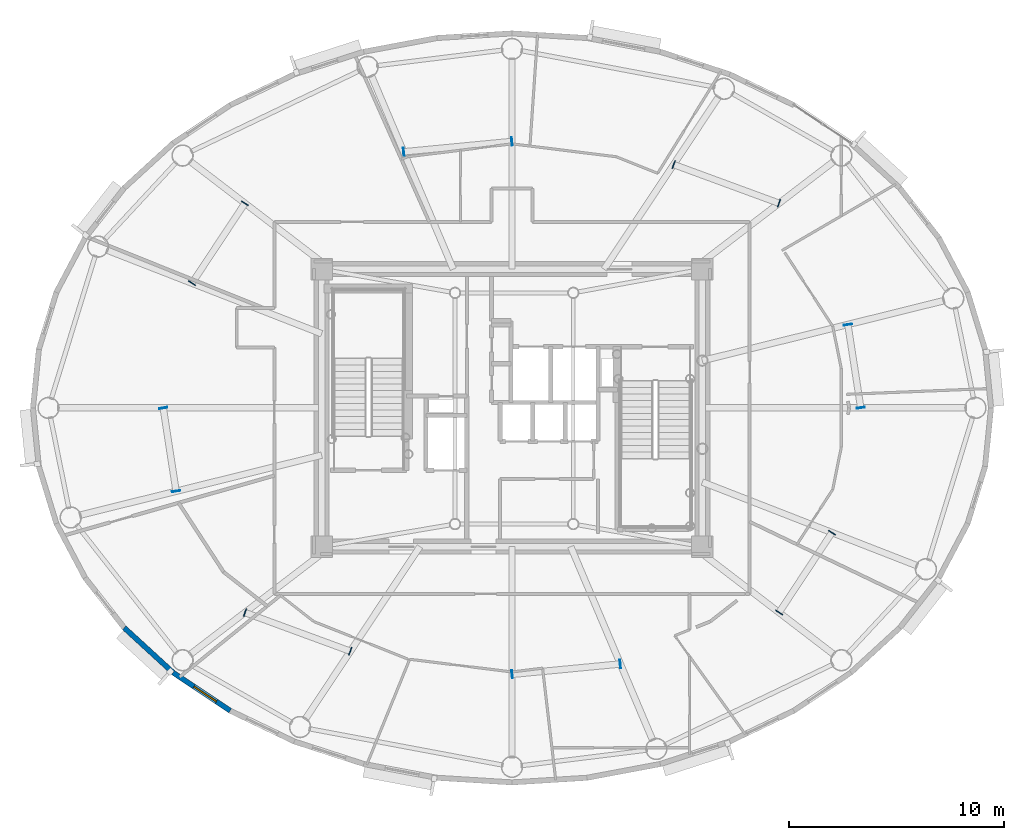
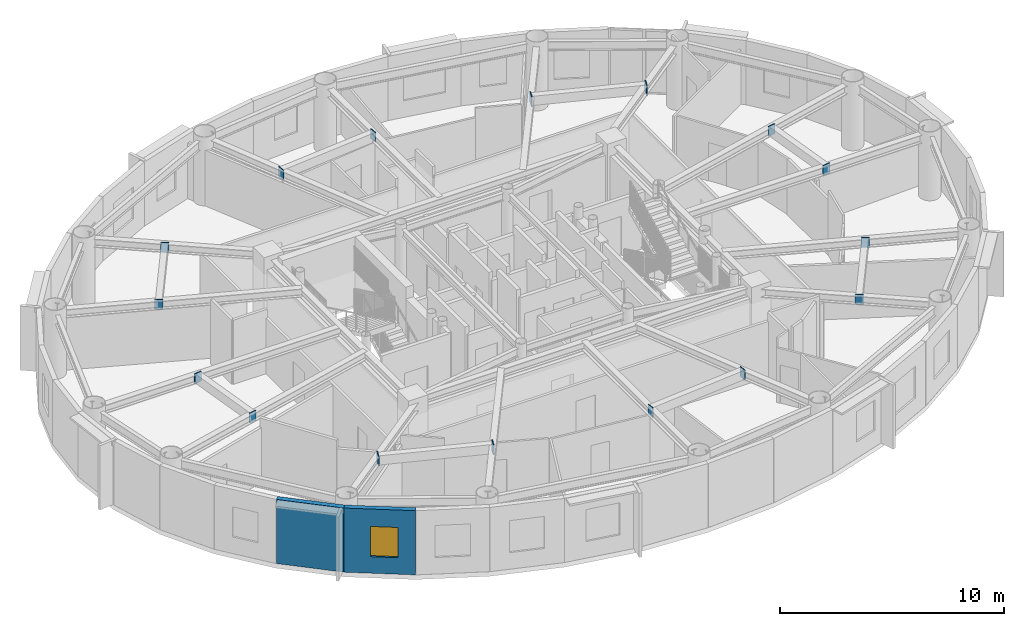
# One storey, part 5 of 16: 16 plates, 2 walls, 1 window, 1 opening.
"""IFC4 building model written with IfcOpenShell, lengths in metres."""

from ifc_helpers import new_model, si_unit, direction, frame, frame_2d, origin, origin_2d, place, context, subcontext, project, spatial, rectangle, extrude, source, transform, mapped, material, layer, layer_set, type_object, element, fill, save


model = new_model("IFC4")

# Units and contexts
model_context = context("Model", 3, precision=1e-05, world=origin(), true_north=direction((0.0, 1.0)))
body_context = subcontext(model_context, "Body", "Model", "MODEL_VIEW")
ifc_project = project(units=[si_unit("LENGTHUNIT", "METRE"), si_unit("AREAUNIT", "SQUARE_METRE"), si_unit("VOLUMEUNIT", "CUBIC_METRE"), si_unit("PLANEANGLEUNIT", "RADIAN"), si_unit("MASSUNIT", "GRAM", prefix="KILO")], contexts=[model_context])

# Site, building, storey
site_placement = place(None, origin())
site = spatial("IfcSite", under=ifc_project, at=site_placement, CompositionType="ELEMENT")
building_placement = place(site_placement, origin())
building = spatial("IfcBuilding", under=site, at=building_placement, Name="Linh Dai School and Residence Tower", CompositionType="ELEMENT")
storey_placement = place(building_placement, frame((0.0, 0.0, 306.75)))
storey = spatial("IfcBuildingStorey", under=building, at=storey_placement, Name="L76", CompositionType="ELEMENT", Elevation=306.75)

# Plates
ifc_material_1 = material(Name="Structural Steel S355JR", Category="steel")
ifc_layer_1 = layer(ifc_material_1, 0.0400390625)
ifc_layer_set_1 = layer_set([ifc_layer_1], Name="Structural Steel S355JR")
plate_type = type_object("IfcPlateType", Name="PLT-GP1", PredefinedType="USERDEFINED", material=ifc_layer_set_1)
shared_shape_1 = source(origin(), body_context, "Body", "SweptSolid", [
    extrude(rectangle(XDim=0.0400390625, YDim=0.3798828125, at=origin_2d()), origin(), (0.0, 0.0, 1.0), 0.5400390625),
])
for number, where, z_axis, x_axis, name in (
    (1, (52.21533203125, 27.0048828125, 2.97998046875), (0.0, 0.0, 1.0), (-0.152473707763, 0.988307527261, 0.0), "L76 Secondary Beam End Plate 01A"),
    (2, (51.61865234375, 30.87255859375, 2.97998046875), (0.0, 0.0, 1.0), (-0.152473707763, 0.988307527261, 0.0), "L76 Secondary Beam End Plate 01B"),
    (3, (48.4140625, 36.51611328125, 2.97998046875), (0.0, 0.0, 1.0), (-0.938695431921, 0.34474756865, 0.0), "L76 Secondary Beam End Plate 02A"),
    (4, (43.519287109375, 38.313720703125, 2.97998046875), (0.0, 0.0, 1.0), (-0.938695431921, 0.34474756865, 0.0), "L76 Secondary Beam End Plate 02B"),
    (5, (35.9951171875, 39.388671875, 2.97998046875), (0.0, 0.0, 1.0), (-0.995444959349, -0.095337992991, 0.0), "L76 Secondary Beam End Plate 03A"),
    (6, (30.965087890625, 38.906982421875, 2.97998046875), (0.0, 0.0, 1.0), (-0.995444959349, -0.095337992991, 0.0), "L76 Secondary Beam End Plate 03B"),
    (7, (23.57861328125, 36.51025390625, 2.97998046875), (0.0, 0.0, 1.0), (-0.552122484469, -0.833763013178, 0.0), "L76 Secondary Beam End Plate 04A"),
    (8, (21.123046875, 32.80224609375, 2.97998046875), (0.0, 0.0, 1.0), (-0.552122484469, -0.833763013178, 0.0), "L76 Secondary Beam End Plate 04B"),
    (9, (19.78466796875, 26.9951171875, 2.97998046875), (0.0, 0.0, 1.0), (0.152473707763, -0.988307527261, 0.0), "L76 Secondary Beam End Plate 05A"),
    (10, (20.38134765625, 23.12744140625, 2.97998046875), (0.0, 0.0, 1.0), (0.152473707763, -0.988307527261, 0.0), "L76 Secondary Beam End Plate 05B"),
    (11, (23.5859375, 17.48388671875, 2.97998046875), (0.0, 0.0, 1.0), (0.938695431921, -0.34474756865, 0.0), "L76 Secondary Beam End Plate 06A"),
    (12, (28.480712890625, 15.686279296875, 2.97998046875), (0.0, 0.0, 1.0), (0.938695431921, -0.34474756865, 0.0), "L76 Secondary Beam End Plate 06B"),
    (13, (36.0048828125, 14.611328125, 2.97998046875), (0.0, 0.0, 1.0), (0.995444959349, 0.095337992991, 0.0), "L76 Secondary Beam End Plate 07A"),
    (14, (41.034912109375, 15.093017578125, 2.97998046875), (0.0, 0.0, 1.0), (0.995444959349, 0.095337992991, 0.0), "L76 Secondary Beam End Plate 07B"),
    (15, (48.42138671875, 17.48974609375, 2.97998046875), (0.0, 0.0, 1.0), (0.552122484469, 0.833763013178, 0.0), "L76 Secondary Beam End Plate 08A"),
    (16, (50.876953125, 21.19775390625, 2.97998046875), (0.0, 0.0, 1.0), (0.552122484469, 0.833763013178, 0.0), "L76 Secondary Beam End Plate 08B"),
):
    element("IfcPlate", number, at=place(storey_placement, frame(where, z_axis=z_axis, x_axis=x_axis)), inside=storey, type_object=plate_type, Name=name, ObjectType="GUSSET PLATE", PredefinedType="USERDEFINED", context=body_context, shape_type="MappedRepresentation", body=[
        mapped(shared_shape_1, transform((0.0, 0.0, 0.0), x_axis=(1.0, 0.0, 0.0), y_axis=(0.0, 1.0, 0.0), z_axis=(0.0, 0.0, 1.0), scale=1.0)),
    ])

# Wall
ifc_material_2 = material(Name="Precast Concrete B45 (C35/45)", Category="concrete")
ifc_layer_2 = layer(ifc_material_2, 0.239990234375)
ifc_layer_set_2 = layer_set([ifc_layer_2], Name="Precast Concrete B45 (C35/45)")
wall_type = type_object("IfcWallType", Name="EW-TC-240", PredefinedType="SOLIDWALL", material=ifc_layer_set_2)
wall_1_placement = place(storey_placement, frame((20.23779296875, 14.69580078125, 0.0), z_axis=(0.0, 0.0, 1.0), x_axis=(-0.737068506972, 0.675818034703, 0.0)))
element("IfcWall", 17, at=wall_1_placement, inside=storey, type_object=wall_type, Name="L76 Terracotta Exterior Wall 25", PredefinedType="SOLIDWALL", context=body_context, shape_type="SweptSolid", body=[
    extrude(rectangle(XDim=3.0771484375, YDim=0.239990234375, at=frame_2d((1.53857421875, 0.0))), origin(), (0.0, 0.0, 1.0), 3.5),
])

# Wall, opening, window
wall_2_placement = place(storey_placement, frame((22.8955078125, 12.91845703125, 0.0), z_axis=(0.0, 0.0, 1.0), x_axis=(-0.831250592635, 0.55589787933, 0.0)))
wall_2 = element("IfcWall", 18, at=wall_2_placement, inside=storey, type_object=wall_type, Name="L76 Terracotta Exterior Wall 26", PredefinedType="SOLIDWALL", context=body_context, shape_type="SweptSolid", body=[
    extrude(rectangle(XDim=3.197265625, YDim=0.239990234375, at=frame_2d((1.5986328125, 0.0))), origin(), (0.0, 0.0, 1.0), 3.5),
])
opening_placement = place(wall_2_placement, frame((0.771728515625, 0.0, 0.89990234375)))
opening = element("IfcOpeningElement", 19, at=opening_placement, cuts=wall_2, Name="Opening W3", PredefinedType="OPENING", context=body_context, shape_type="SweptSolid", body=[
    extrude(rectangle(XDim=1.25, YDim=1.64990234375, at=origin_2d()), frame((0.625, 0.1298828125, 0.824951171875), z_axis=(0.0, -1.0, 0.0), x_axis=(1.0, 0.0, 0.0)), (0.0, 0.0, 1.0), 0.260009765625),
])
ifc_material_3 = material(Name="Double Low-E Insulated Glazing", Category="glass")
window_type = type_object("IfcWindowType", Name="WN-RES-1250x1650", PartitioningType="SINGLE_PANEL", PredefinedType="WINDOW", material=ifc_material_3)
shared_shape_2 = source(origin(), body_context, "Body", "SweptSolid", [
    extrude(rectangle(XDim=1.25, YDim=1.64990234375, at=origin_2d()), frame((0.625, 0.030029296875, 0.824951171875), z_axis=(0.0, -1.0, 0.0), x_axis=(1.0, 0.0, 0.0)), (0.0, 0.0, 1.0), 0.06005859375),
])
window_placement = place(opening_placement, origin())
window = element("IfcWindow", 20, at=window_placement, inside=storey, type_object=window_type, Name="L76 Exterior Window 26.1", OverallHeight=1.64990234375, OverallWidth=1.25, PartitioningType="SINGLE_PANEL", PredefinedType="WINDOW", context=body_context, shape_type="MappedRepresentation", body=[
    mapped(shared_shape_2, transform((0.0, 0.0, 0.0), x_axis=(1.0, 0.0, 0.0), y_axis=(0.0, 1.0, 0.0), z_axis=(0.0, 0.0, 1.0), scale=1.0)),
])
fill(opening, window)

save(model, "model.ifc")
